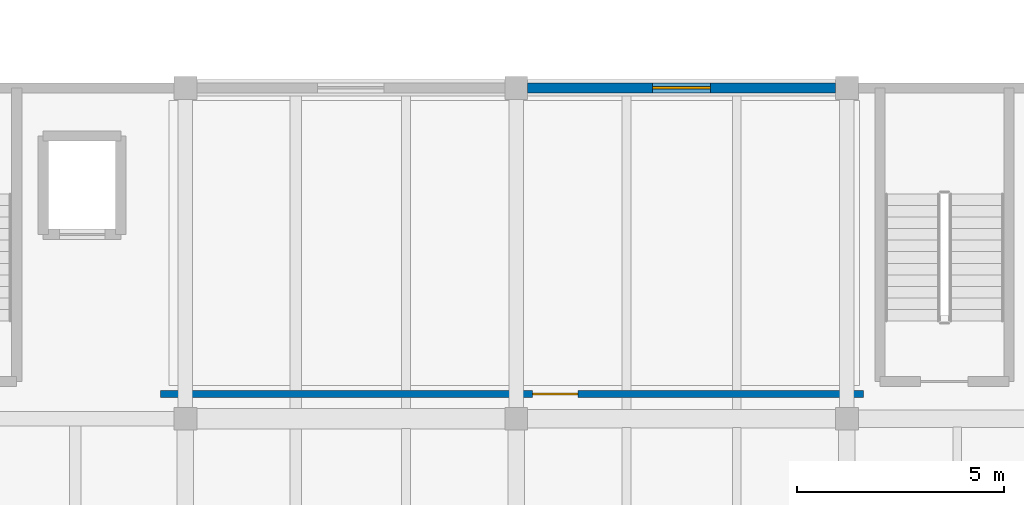
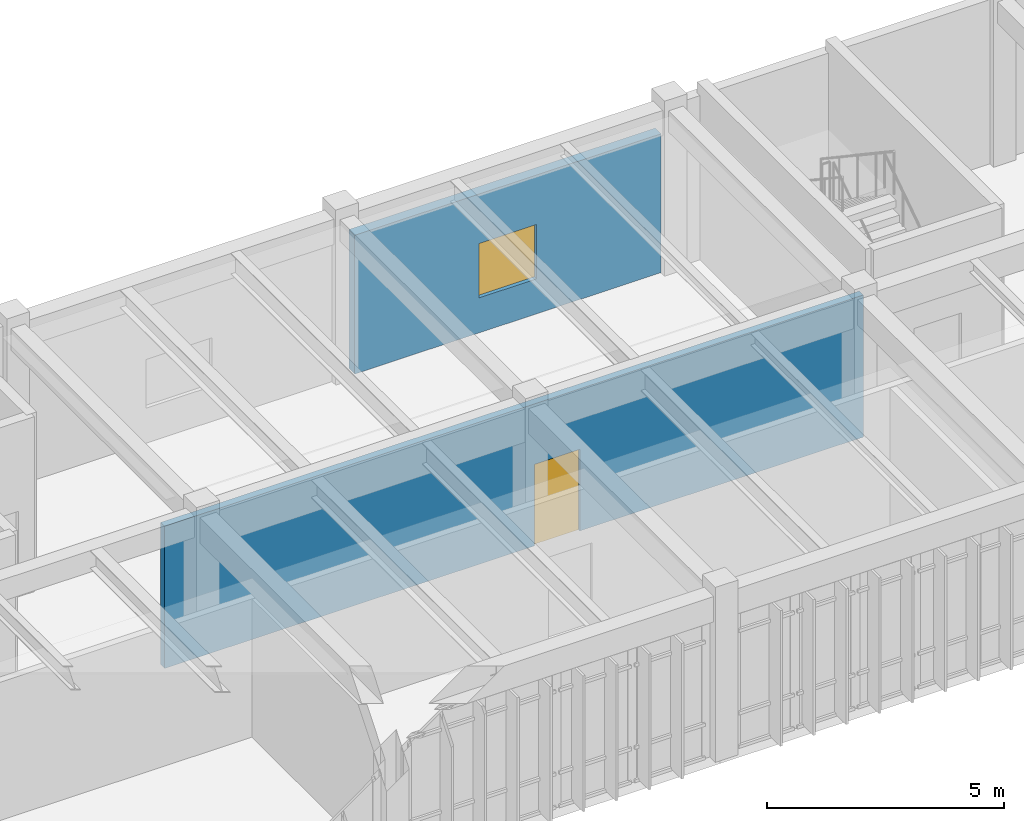
# One storey, part 58 of 79: 2 walls, 1 door, 1 window, 2 openings.
"""IFC4 building model written with IfcOpenShell, lengths in metres."""

from ifc_helpers import new_model, si_unit, direction, frame, frame_2d, origin, place, context, subcontext, project, spatial, rectangle, extrude, material, layer, layer_set, type_object, element, fill, save


model = new_model("IFC4")

# Units and contexts
model_context = context("Model", 3, precision=1e-05, world=origin(), true_north=direction((0.0, 1.0)))
body_context = subcontext(model_context, "Body", "Model", "MODEL_VIEW")
ifc_project = project(units=[si_unit("LENGTHUNIT", "METRE"), si_unit("AREAUNIT", "SQUARE_METRE"), si_unit("VOLUMEUNIT", "CUBIC_METRE"), si_unit("PLANEANGLEUNIT", "RADIAN"), si_unit("MASSUNIT", "GRAM", prefix="KILO")], contexts=[model_context])

# Site, building, storey
site_placement = place(None, origin())
site = spatial("IfcSite", under=ifc_project, at=site_placement, CompositionType="ELEMENT")
building_placement = place(site_placement, origin())
building = spatial("IfcBuilding", under=site, at=building_placement, Name="Tlaxcora Railside Police Headquarters", CompositionType="ELEMENT")
storey_placement = place(building_placement, frame((0.0, 0.0, 9.0)))
storey = spatial("IfcBuildingStorey", under=building, at=storey_placement, Name="L02", CompositionType="ELEMENT", Elevation=9.0)

# Wall, opening, door
ifc_material_1 = material(Name="Gypsum acoustic partition board")
ifc_layer_1 = layer(ifc_material_1, 0.16796875, Name="Gypsum acoustic partition board")
ifc_layer_set_1 = layer_set([ifc_layer_1], Name="Gypsum acoustic partition board")
wall_type_1 = type_object("IfcWallType", Name="Interior Partition Wall IW-31", PredefinedType="PARTITIONING", material=ifc_layer_set_1)
wall_1_placement = place(storey_placement, frame((118.199951171875, 44.60009765625, 0.0), z_axis=(0.0, 0.0, 1.0), x_axis=(1.0, 0.0, 0.0)))
wall_1 = element("IfcWall", 1, at=wall_1_placement, inside=storey, type_object=wall_type_1, Name="V7 L02 interior partition 145", PredefinedType="PARTITIONING", context=body_context, shape_type="SweptSolid", body=[
    extrude(rectangle(XDim=17.0, YDim=0.16796875, at=frame_2d((8.5, 0.0))), origin(), (0.0, 0.0, 1.0), 3.655029296875),
])
opening_1_placement = place(wall_1_placement, frame((9.0, 0.0, 0.0)))
opening_1 = element("IfcOpeningElement", 2, at=opening_1_placement, cuts=wall_1, Name="Opening D-L02-180", PredefinedType="OPENING", context=body_context, shape_type="SweptSolid", body=[
    extrude(rectangle(XDim=1.10009765625, YDim=2.10009765625, at=frame_2d((0.550048828125, 1.050048828125))), frame((0.0, 0.093994140625, 0.0), z_axis=(0.0, -1.0, 0.0), x_axis=(1.0, 0.0, 0.0)), (0.0, 0.0, 1.0), 0.18798828125),
])
ifc_material_2 = material(Name="Steel ASTM A992 Grade 50", Category="steel")
door_type = type_object("IfcDoorType", Name="Swing or Sliding Personnel Door ID-66", OperationType="NOTDEFINED", PredefinedType="DOOR", material=ifc_material_2)
door_placement = place(opening_1_placement, origin())
door = element("IfcDoor", 3, at=door_placement, inside=storey, type_object=door_type, Name="V7 L02 door D-L02-180", OperationType="SINGLE_SWING_RIGHT", OverallHeight=2.10009765625, OverallWidth=1.10009765625, PredefinedType="DOOR", context=body_context, shape_type="SweptSolid", body=[
    extrude(rectangle(XDim=1.10009765625, YDim=2.10009765625, at=frame_2d((0.550048828125, 1.050048828125))), frame((0.0, 0.02490234375, 0.0), z_axis=(0.0, -1.0, 0.0), x_axis=(1.0, 0.0, 0.0)), (0.0, 0.0, 1.0), 0.050048828125),
])
fill(opening_1, door)

# Wall, opening, window
ifc_material_3 = material(Name="Precast concrete C40/50", Category="concrete")
ifc_layer_2 = layer(ifc_material_3, 0.2451171875, Name="Precast concrete C40/50")
ifc_layer_set_2 = layer_set([ifc_layer_2], Name="Precast concrete C40/50")
wall_type_2 = type_object("IfcWallType", Name="Structural Bearing Wall EW-94", PredefinedType="SOLIDWALL", material=ifc_layer_set_2)
wall_2_placement = place(storey_placement, frame((134.52490234375, 52.0, 0.0), z_axis=(0.0, 0.0, 1.0), x_axis=(-1.0, 0.0, 0.0)))
wall_2 = element("IfcWall", 4, at=wall_2_placement, inside=storey, type_object=wall_type_2, Name="V7 L02 exterior wall 2.3", PredefinedType="SOLIDWALL", context=body_context, shape_type="SweptSolid", body=[
    extrude(rectangle(XDim=7.449951171875, YDim=0.2451171875, at=frame_2d((3.72509765625, 0.0))), origin(), (0.0, 0.0, 1.0), 3.570068359375),
])
opening_2_placement = place(wall_2_placement, frame((3.02490234375, 0.0, 0.89990234375)))
opening_2 = element("IfcOpeningElement", 5, at=opening_2_placement, cuts=wall_2, Name="Opening WN-22", PredefinedType="OPENING", context=body_context, shape_type="SweptSolid", body=[
    extrude(rectangle(XDim=1.39990234375, YDim=1.39990234375, at=frame_2d((0.699951171875, 0.699951171875))), frame((0.0, 0.132568359375, 0.0), z_axis=(0.0, -1.0, 0.0), x_axis=(1.0, 0.0, 0.0)), (0.0, 0.0, 1.0), 0.26513671875),
])
ifc_material_4 = material(Name="Thermally broken low-E insulated glazing", Category="glass")
window_type = type_object("IfcWindowType", Name="Exterior Framed or Circular Window WN-22", PartitioningType="SINGLE_PANEL", PredefinedType="WINDOW", material=ifc_material_4)
window_placement = place(opening_2_placement, origin())
window = element("IfcWindow", 6, at=window_placement, inside=storey, type_object=window_type, Name="V7 L02 window 210", OverallHeight=1.39990234375, OverallWidth=1.39990234375, PartitioningType="SINGLE_PANEL", PredefinedType="WINDOW", context=body_context, shape_type="SweptSolid", body=[
    extrude(rectangle(XDim=1.39990234375, YDim=1.39990234375, at=frame_2d((0.699951171875, 0.699951171875))), frame((0.0, 0.030029296875, 0.0), z_axis=(0.0, -1.0, 0.0), x_axis=(1.0, 0.0, 0.0)), (0.0, 0.0, 1.0), 0.06005859375),
])
fill(opening_2, window)

save(model, "model.ifc")
